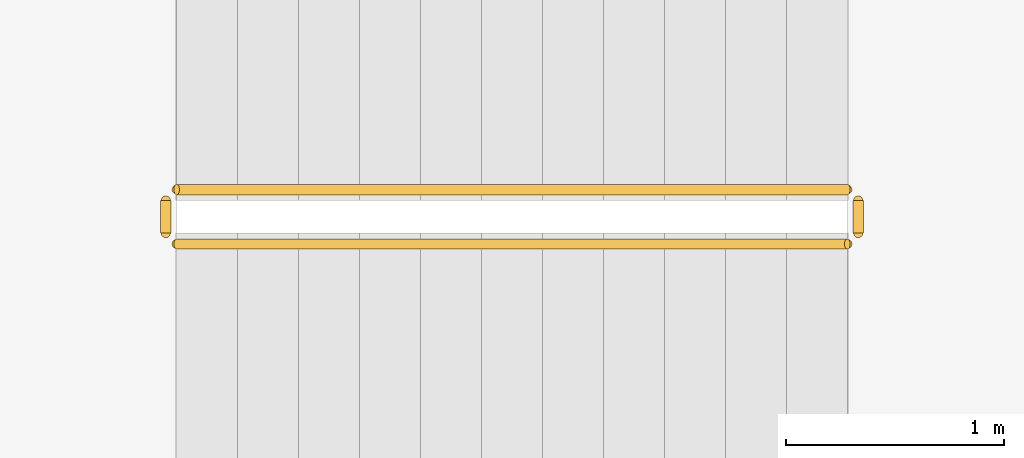
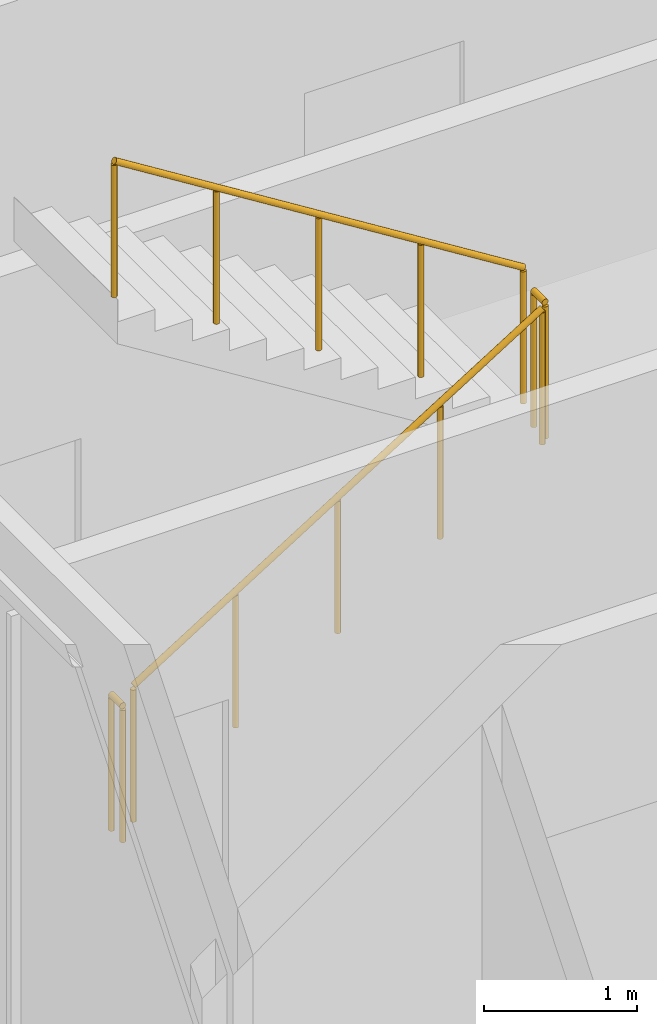
# One storey, part 17 of 22: 4 railings.
"""IFC4 building model written with IfcOpenShell, lengths in metres."""

from ifc_helpers import new_model, si_unit, direction, frame, origin, origin_2d, place, context, subcontext, project, spatial, circle, extrude, material, type_object, element, save


model = new_model("IFC4")

# Units and contexts
model_context = context("Model", 3, precision=1e-05, world=origin(), true_north=direction((0.0, 1.0)))
body_context = subcontext(model_context, "Body", "Model", "MODEL_VIEW")
ifc_project = project(units=[si_unit("LENGTHUNIT", "METRE"), si_unit("AREAUNIT", "SQUARE_METRE"), si_unit("VOLUMEUNIT", "CUBIC_METRE"), si_unit("PLANEANGLEUNIT", "RADIAN"), si_unit("MASSUNIT", "GRAM", prefix="KILO")], contexts=[model_context])

# Site, building, storey
site_placement = place(None, origin())
site = spatial("IfcSite", under=ifc_project, at=site_placement, CompositionType="ELEMENT")
building_placement = place(site_placement, origin())
building = spatial("IfcBuilding", under=site, at=building_placement, Name="Kawkab Arch Medical Tower", CompositionType="ELEMENT")
storey_placement = place(building_placement, frame((0.0, 0.0, 171.0)))
storey = spatial("IfcBuildingStorey", under=building, at=storey_placement, Name="L39", CompositionType="ELEMENT", Elevation=171.0)

# Railings
ifc_material = material(Name="Stainless steel", Category="steel")
railing_type = type_object("IfcRailingType", Name="Stair guard 1100", PredefinedType="GUARDRAIL", material=ifc_material)
railing_1_placement = place(storey_placement, frame((1.800048828125, -36.14990234375, 0.175048828125)))
element("IfcRailing", 1, at=railing_1_placement, inside=storey, type_object=railing_type, Name="L39 ST6 stair guard 1", PredefinedType="GUARDRAIL", context=body_context, shape_type="SweptSolid", body=[
    extrude(circle(Radius=0.02392578125, at=origin_2d()), frame((0.0, 0.0, 1.076171875), z_axis=(0.847979421464, 0.0, 0.530029150871), x_axis=(0.0, 1.0, 0.0)), (0.0, 0.0, 1.0), 3.632080078125),
    extrude(circle(Radius=0.02099609375, at=origin_2d()), origin(), (0.0, 0.0, 1.0), 1.052001953125),
    extrude(circle(Radius=0.02099609375, at=origin_2d()), frame((0.77001953125, 0.0, 0.481201171875)), (0.0, 0.0, 1.0), 1.052001953125),
    extrude(circle(Radius=0.02099609375, at=origin_2d()), frame((1.5400390625, 0.0, 0.96240234375)), (0.0, 0.0, 1.0), 1.052001953125),
    extrude(circle(Radius=0.02099609375, at=origin_2d()), frame((2.309814453125, 0.0, 1.44384765625)), (0.0, 0.0, 1.0), 1.052001953125),
    extrude(circle(Radius=0.02099609375, at=origin_2d()), frame((3.079833984375, 0.0, 1.925048828125)), (0.0, 0.0, 1.0), 1.052001953125),
])
railing_2_placement = place(storey_placement, frame((4.929931640625, -36.10009765625, 2.10009765625)))
element("IfcRailing", 2, at=railing_2_placement, inside=storey, type_object=railing_type, Name="L39 ST6 stair guard 2", PredefinedType="GUARDRAIL", context=body_context, shape_type="SweptSolid", body=[
    extrude(circle(Radius=0.02392578125, at=origin_2d()), frame((0.0, 0.0, 1.076171875), z_axis=(0.0, 1.0, 0.0), x_axis=(-1.0, 0.0, 0.0)), (0.0, 0.0, 1.0), 0.150146484375),
    extrude(circle(Radius=0.02099609375, at=origin_2d()), origin(), (0.0, 0.0, 1.0), 1.052001953125),
    extrude(circle(Radius=0.02099609375, at=origin_2d()), frame((0.0, 0.150146484375, 0.0)), (0.0, 0.0, 1.0), 1.052001953125),
])
railing_3_placement = place(storey_placement, frame((4.8798828125, -35.89990234375, 2.27490234375)))
element("IfcRailing", 3, at=railing_3_placement, inside=storey, type_object=railing_type, Name="L39 ST6 stair guard 3", PredefinedType="GUARDRAIL", context=body_context, shape_type="SweptSolid", body=[
    extrude(circle(Radius=0.02392578125, at=origin_2d()), frame((0.0, 0.0, 1.076171875), z_axis=(-0.847979421464, 0.0, 0.530029150871), x_axis=(0.0, -1.0, 0.0)), (0.0, 0.0, 1.0), 3.632080078125),
    extrude(circle(Radius=0.02099609375, at=origin_2d()), origin(), (0.0, 0.0, 1.0), 1.052001953125),
    extrude(circle(Radius=0.02099609375, at=origin_2d()), frame((-0.77001953125, 0.0, 0.481201171875)), (0.0, 0.0, 1.0), 1.052001953125),
    extrude(circle(Radius=0.02099609375, at=origin_2d()), frame((-1.5400390625, 0.0, 0.96240234375)), (0.0, 0.0, 1.0), 1.052001953125),
    extrude(circle(Radius=0.02099609375, at=origin_2d()), frame((-2.309814453125, 0.0, 1.44384765625)), (0.0, 0.0, 1.0), 1.052001953125),
    extrude(circle(Radius=0.02099609375, at=origin_2d()), frame((-3.079833984375, 0.0, 1.925048828125)), (0.0, 0.0, 1.0), 1.052001953125),
])
railing_4_placement = place(storey_placement, frame((1.75, -36.10009765625, 0.0)))
element("IfcRailing", 4, at=railing_4_placement, inside=storey, type_object=railing_type, Name="L39 ST6 stair guard 4", PredefinedType="GUARDRAIL", context=body_context, shape_type="SweptSolid", body=[
    extrude(circle(Radius=0.02392578125, at=origin_2d()), frame((0.0, 0.0, 1.076171875), z_axis=(0.0, 1.0, 0.0), x_axis=(-1.0, 0.0, 0.0)), (0.0, 0.0, 1.0), 0.150146484375),
    extrude(circle(Radius=0.02099609375, at=origin_2d()), origin(), (0.0, 0.0, 1.0), 1.052001953125),
    extrude(circle(Radius=0.02099609375, at=origin_2d()), frame((0.0, 0.150146484375, 0.0)), (0.0, 0.0, 1.0), 1.052001953125),
])

save(model, "model.ifc")
